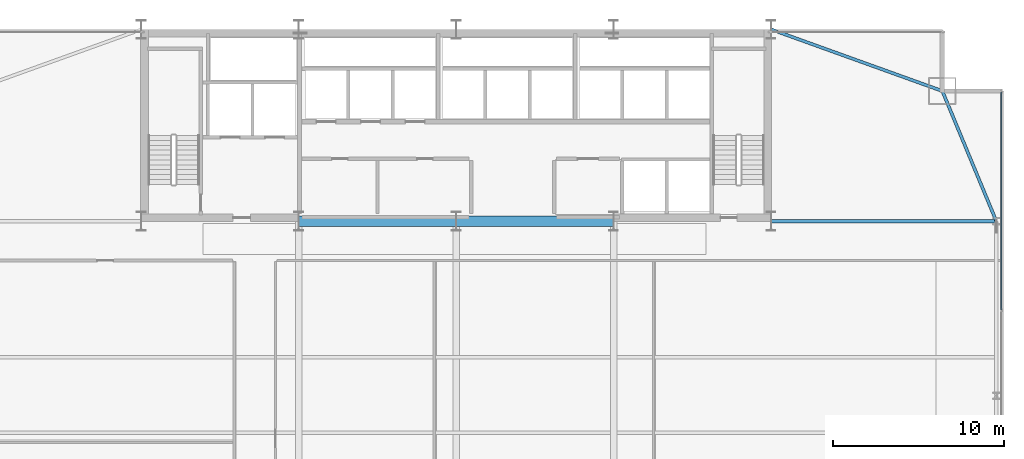
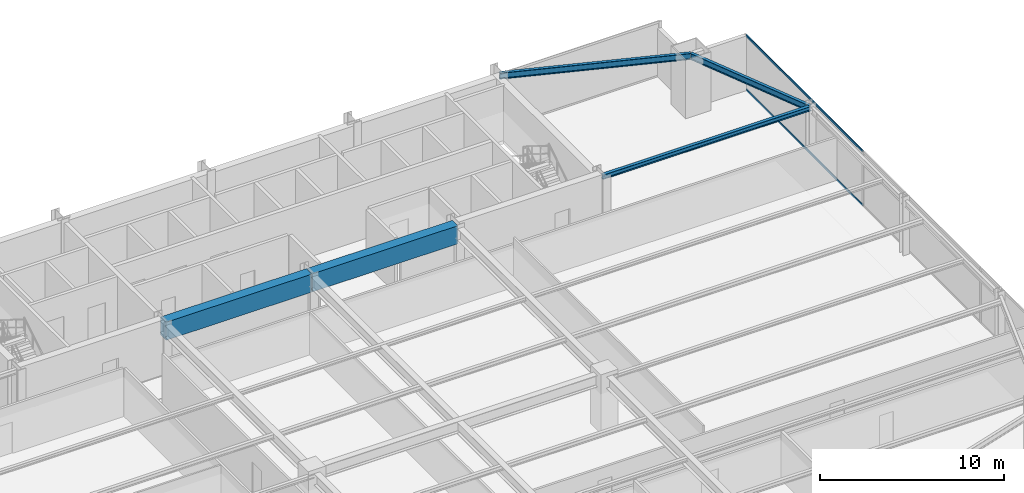
# One storey, part 23 of 32: 5 beams, 2 members, 1 element without a shape of its own.
"""IFC4 building model written with IfcOpenShell, lengths in metres."""

from ifc_helpers import new_model, si_unit, direction, frame, origin, origin_2d, place, context, subcontext, project, spatial, rectangle, hollow_rectangle, i_section, extrude, source, transform, mapped, material, layer, layer_set, material_profile, profile_set, type_object, type_shapes, element, aggregate, save


model = new_model("IFC4")

# Units and contexts
model_context = context("Model", 3, precision=1e-05, world=origin(), true_north=direction((0.0, 1.0)))
body_context = subcontext(model_context, "Body", "Model", "MODEL_VIEW")
ifc_project = project(units=[si_unit("LENGTHUNIT", "METRE"), si_unit("AREAUNIT", "SQUARE_METRE"), si_unit("VOLUMEUNIT", "CUBIC_METRE"), si_unit("PLANEANGLEUNIT", "RADIAN"), si_unit("MASSUNIT", "GRAM", prefix="KILO")], contexts=[model_context])

# Site, building, storey
site_placement = place(None, origin())
site = spatial("IfcSite", under=ifc_project, at=site_placement, CompositionType="ELEMENT")
building_placement = place(site_placement, origin())
building = spatial("IfcBuilding", under=site, at=building_placement, Name="Varnel Quay Broadcast Tower", CompositionType="ELEMENT")
storey_placement = place(building_placement, frame((0.0, 0.0, 54.89990234375)))
storey = spatial("IfcBuildingStorey", under=building, at=storey_placement, Name="L12", CompositionType="ELEMENT", Elevation=54.89990234375)

# Beams
ifc_material_1 = material(Name="Structural Steel CSA G40.21 350W", Category="steel")
ifc_material_profile_1 = material_profile(ifc_material_1, i_section(OverallWidth=0.180908203125, OverallDepth=0.4169921875, WebThickness=0.010986328125, FlangeThickness=0.018310546875, FilletRadius=0.011962890625, at=origin_2d()), Name="W410X85")
ifc_profile_set_1 = profile_set([ifc_material_profile_1], Name="Structural Steel CSA G40.21 350W")
beam_type_1 = type_object("IfcBeamType", Name="Beam_W410X85", PredefinedType="SPANDREL", material=ifc_profile_set_1)
shared_shape_1 = source(origin(), body_context, "Body", "SweptSolid", [
    extrude(i_section(OverallWidth=0.180908203125, OverallDepth=0.4169921875, WebThickness=0.010986328125, FlangeThickness=0.018310546875, FilletRadius=0.011962890625, at=origin_2d()), origin(), (0.0, 0.0, 1.0), 8.186767578125),
])
beam_1_placement = place(storey_placement, frame((65.542236328125, 35.618408203125, 3.441650390625), z_axis=(-0.382874132092, 0.923800519038, 0.0), x_axis=(-0.923800519038, -0.382874132092, 0.0)))
element("IfcBeam", 1, at=beam_1_placement, inside=storey, type_object=beam_type_1, Name="L12 East Spandrel TC-E3-MC-NE", PredefinedType="SPANDREL", context=body_context, shape_type="MappedRepresentation", body=[
    mapped(shared_shape_1, transform((0.0, 0.0, 0.0), x_axis=(1.0, 0.0, 0.0), y_axis=(0.0, 1.0, 0.0), z_axis=(0.0, 0.0, 1.0), scale=1.0)),
])
shared_shape_2 = source(origin(), body_context, "Body", "SweptSolid", [
    extrude(i_section(OverallWidth=0.180908203125, OverallDepth=0.4169921875, WebThickness=0.010986328125, FlangeThickness=0.018310546875, FilletRadius=0.011962890625, at=origin_2d()), origin(), (0.0, 0.0, 1.0), 10.58837890625),
])
type_shapes(beam_type_1, [shared_shape_1, shared_shape_2])
beam_2_placement = place(storey_placement, frame((52.418701171875, 46.793212890625, 3.441650390625), z_axis=(0.940888587605, -0.338716202321, 0.0), x_axis=(0.338716202321, 0.940888587605, 0.0)))
element("IfcBeam", 2, at=beam_2_placement, inside=storey, type_object=beam_type_1, Name="L12 NE Tie Spandrel", PredefinedType="SPANDREL", context=body_context, shape_type="MappedRepresentation", body=[
    mapped(shared_shape_2, transform((0.0, 0.0, 0.0), x_axis=(1.0, 0.0, 0.0), y_axis=(0.0, 1.0, 0.0), z_axis=(0.0, 0.0, 1.0), scale=1.0)),
])
ifc_material_2 = material(Name="Concrete CSA A23.3 C60/75", Category="concrete")
ifc_material_profile_2 = material_profile(ifc_material_2, rectangle(XDim=0.60009765625, YDim=1.199951171875, at=origin_2d()), Name="RC600X1200")
ifc_profile_set_2 = profile_set([ifc_material_profile_2], Name="Concrete CSA A23.3 C60/75")
beam_type_2 = type_object("IfcBeamType", Name="Beam_RC600X1200", PredefinedType="BEAM", material=ifc_profile_set_2)
shared_shape_3 = source(origin(), body_context, "Body", "SweptSolid", [
    extrude(rectangle(XDim=0.60009765625, YDim=1.199951171875, at=origin_2d()), origin(), (0.0, 0.0, 1.0), 9.159912109375),
])
type_shapes(beam_type_2, [shared_shape_3])
for number, where, z_axis, x_axis, name in (
    (3, (24.820068359375, 35.60009765625, 3.050048828125), (1.0, 0.0, 0.0), (0.0, 1.0, 0.0), "L12 Core Coupling Beam W"),
    (4, (34.02001953125, 35.60009765625, 3.050048828125), (1.0, 0.0, 0.0), (0.0, 1.0, 0.0), "L12 Core Coupling Beam E"),
):
    element("IfcBeam", number, at=place(storey_placement, frame(where, z_axis=z_axis, x_axis=x_axis)), inside=storey, type_object=beam_type_2, Name=name, PredefinedType="BEAM", context=body_context, shape_type="MappedRepresentation", body=[
        mapped(shared_shape_3, transform((0.0, 0.0, 0.0), x_axis=(1.0, 0.0, 0.0), y_axis=(0.0, 1.0, 0.0), z_axis=(0.0, 0.0, 1.0), scale=1.0)),
    ])
ifc_material_profile_3 = material_profile(ifc_material_1, i_section(OverallWidth=0.202880859375, OverallDepth=0.302978515625, WebThickness=0.007568359375, FlangeThickness=0.01318359375, FilletRadius=0.011962890625, at=origin_2d()), Name="W310X60")
ifc_profile_set_3 = profile_set([ifc_material_profile_3], Name="Structural Steel CSA G40.21 350W")
beam_type_3 = type_object("IfcBeamType", Name="Beam_W310X60", PredefinedType="JOIST", material=ifc_profile_set_3)
shared_shape_4 = source(origin(), body_context, "Body", "SweptSolid", [
    extrude(i_section(OverallWidth=0.202880859375, OverallDepth=0.302978515625, WebThickness=0.007568359375, FlangeThickness=0.01318359375, FilletRadius=0.011962890625, at=origin_2d()), origin(), (0.0, 0.0, 1.0), 13.110107421875),
])
type_shapes(beam_type_3, [shared_shape_4])
beam_3_placement = place(storey_placement, frame((52.419921875, 35.60009765625, 3.49853515625), z_axis=(1.0, 0.0, 0.0), x_axis=(0.0, 1.0, 0.0)))
element("IfcBeam", 5, at=beam_3_placement, inside=storey, type_object=beam_type_3, Name="L12 East Core Tie Joist", PredefinedType="JOIST", context=body_context, shape_type="MappedRepresentation", body=[
    mapped(shared_shape_4, transform((0.0, 0.0, 0.0), x_axis=(1.0, 0.0, 0.0), y_axis=(0.0, 1.0, 0.0), z_axis=(0.0, 0.0, 1.0), scale=1.0)),
])

# Curtain wall, members
ifc_material_3 = material(Name="Anodised Bronze Aluminium 6063-T6", Category="aluminium")
ifc_layer = layer(ifc_material_3, 0.18994140625, Name="Anodised Bronze Aluminium 6063-T6")
ifc_layer_set = layer_set([ifc_layer], Name="Anodised Bronze Aluminium 6063-T6")
curtain_wall_type = type_object("IfcCurtainWallType", Name="CW_LowerTower", PredefinedType="NOTDEFINED", material=ifc_layer_set)
curtain_wall_placement = place(storey_placement, origin())
curtain_wall = element("IfcCurtainWall", 6, at=curtain_wall_placement, inside=storey, type_object=curtain_wall_type, Name="L12 East Unitised Curtain Wall", PredefinedType="NOTDEFINED")
ifc_material_profile_4 = material_profile(ifc_material_3, hollow_rectangle(XDim=0.06005859375, YDim=0.14501953125, WallThickness=0.00341796875, at=origin_2d()), Name="ALU60X145X3.5")
ifc_profile_set_4 = profile_set([ifc_material_profile_4], Name="Anodised Bronze Aluminium 6063-T6")
member_type = type_object("IfcMemberType", Name="Tran_CWS-02", PredefinedType="USERDEFINED", material=ifc_profile_set_4)
shared_shape_5 = source(origin(), body_context, "Body", "SweptSolid", [
    extrude(hollow_rectangle(XDim=0.06005859375, YDim=0.14501953125, WallThickness=0.00341796875, at=origin_2d()), origin(), (0.0, 0.0, 1.0), 12.69482421875),
])
type_shapes(member_type, [shared_shape_5])
member_1_placement = place(storey_placement, frame((65.85009765625, 30.43505859375, 0.030029296875), z_axis=(0.0, 1.0, 0.0), x_axis=(-1.0, 0.0, 0.0)))
member_1 = element("IfcMember", 7, at=member_1_placement, type_object=member_type, Name="CWS-02 transom 3.1", ObjectType="TRANSOM", PredefinedType="USERDEFINED", context=body_context, shape_type="MappedRepresentation", body=[
    mapped(shared_shape_5, transform((0.0, 0.0, 0.0), x_axis=(1.0, 0.0, 0.0), y_axis=(0.0, 1.0, 0.0), z_axis=(0.0, 0.0, 1.0), scale=1.0)),
])
member_2_placement = place(storey_placement, frame((65.85009765625, 30.43505859375, 3.6201171875), z_axis=(0.0, 1.0, 0.0), x_axis=(-1.0, 0.0, 0.0)))
member_2 = element("IfcMember", 8, at=member_2_placement, type_object=member_type, Name="CWS-02 transom 3.2", ObjectType="TRANSOM", PredefinedType="USERDEFINED", context=body_context, shape_type="MappedRepresentation", body=[
    mapped(shared_shape_5, transform((0.0, 0.0, 0.0), x_axis=(1.0, 0.0, 0.0), y_axis=(0.0, 1.0, 0.0), z_axis=(0.0, 0.0, 1.0), scale=1.0)),
])
aggregate(curtain_wall, [member_1, member_2])

save(model, "model.ifc")
